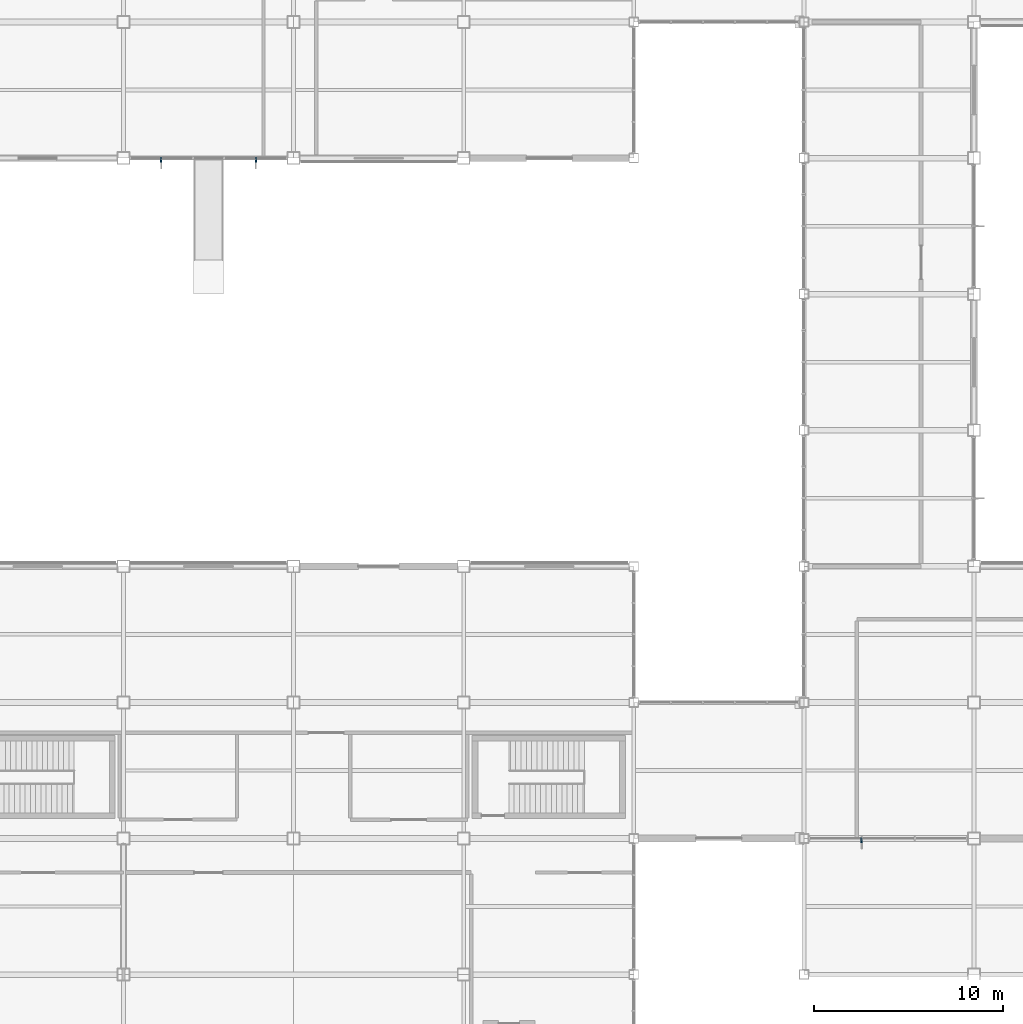
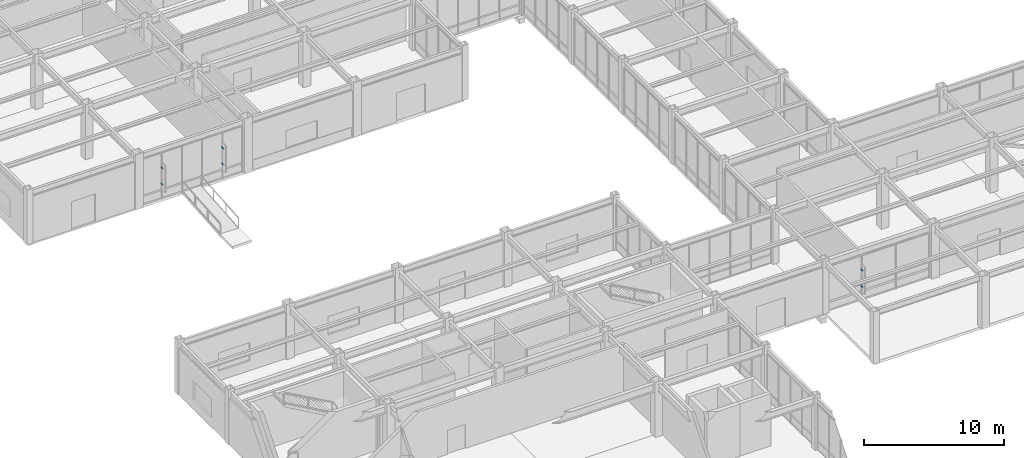
# One storey, part 98 of 112: 6 discrete accessories.
"""IFC4 building model written with IfcOpenShell, lengths in metres."""

from ifc_helpers import new_model, si_unit, direction, frame, origin, origin_2d, place, context, subcontext, project, spatial, rectangle, extrude, material, type_object, element, save


model = new_model("IFC4")

# Units and contexts
model_context = context("Model", 3, precision=1e-05, world=origin(), true_north=direction((0.0, 1.0)))
body_context = subcontext(model_context, "Body", "Model", "MODEL_VIEW")
ifc_project = project(units=[si_unit("LENGTHUNIT", "METRE"), si_unit("AREAUNIT", "SQUARE_METRE"), si_unit("VOLUMEUNIT", "CUBIC_METRE"), si_unit("PLANEANGLEUNIT", "RADIAN"), si_unit("MASSUNIT", "GRAM", prefix="KILO")], contexts=[model_context])

# Site, building, storey
site_placement = place(None, origin())
site = spatial("IfcSite", under=ifc_project, at=site_placement, CompositionType="ELEMENT")
building_placement = place(site_placement, origin())
building = spatial("IfcBuilding", under=site, at=building_placement, Name="Kazanami Central Library", CompositionType="ELEMENT")
storey_placement = place(building_placement, origin())
storey = spatial("IfcBuildingStorey", under=building, at=storey_placement, Name="L01", CompositionType="ELEMENT", Elevation=0.0)

# Discrete accessories
ifc_material = material(Name="Stainless Steel SUS304", Category="steel")
discrete_accessory_type = type_object("IfcDiscreteAccessoryType", Name="ACC-BRK-1", PredefinedType="BRACKET", material=ifc_material)
for number, where, z_axis, x_axis, name in (
    (1, (48.058349609375, 21.510009765625, 1.217529296875), (0.0, 0.0, 1.0), (1.0, 0.0, 0.0), "Solar Fin Outrigger Bracket L01 S-D-05.1.1"),
    (2, (48.058349609375, 21.510009765625, 2.657470703125), (0.0, 0.0, 1.0), (1.0, 0.0, 0.0), "Solar Fin Outrigger Bracket L01 S-D-05.1.2"),
    (3, (10.9951171875, 57.510009765625, 1.282470703125), (0.0, 0.0, 1.0), (1.0, 0.0, 0.0), "Solar Fin Outrigger Bracket L01 S-J-01.1.1"),
    (4, (10.9951171875, 57.510009765625, 2.6923828125), (0.0, 0.0, 1.0), (1.0, 0.0, 0.0), "Solar Fin Outrigger Bracket L01 S-J-01.1.2"),
    (5, (16.0048828125, 57.510009765625, 1.282470703125), (0.0, 0.0, 1.0), (1.0, 0.0, 0.0), "Solar Fin Outrigger Bracket L01 S-J-01.2.1"),
    (6, (16.0048828125, 57.510009765625, 2.6923828125), (0.0, 0.0, 1.0), (1.0, 0.0, 0.0), "Solar Fin Outrigger Bracket L01 S-J-01.2.2"),
):
    element("IfcDiscreteAccessory", number, at=place(storey_placement, frame(where, z_axis=z_axis, x_axis=x_axis)), inside=storey, type_object=discrete_accessory_type, Name=name, PredefinedType="BRACKET", context=body_context, shape_type="SweptSolid", body=[
        extrude(rectangle(XDim=0.080078125, YDim=0.280029296875, at=origin_2d()), origin(), (0.0, 0.0, 1.0), 0.080078125),
    ])

save(model, "model.ifc")
